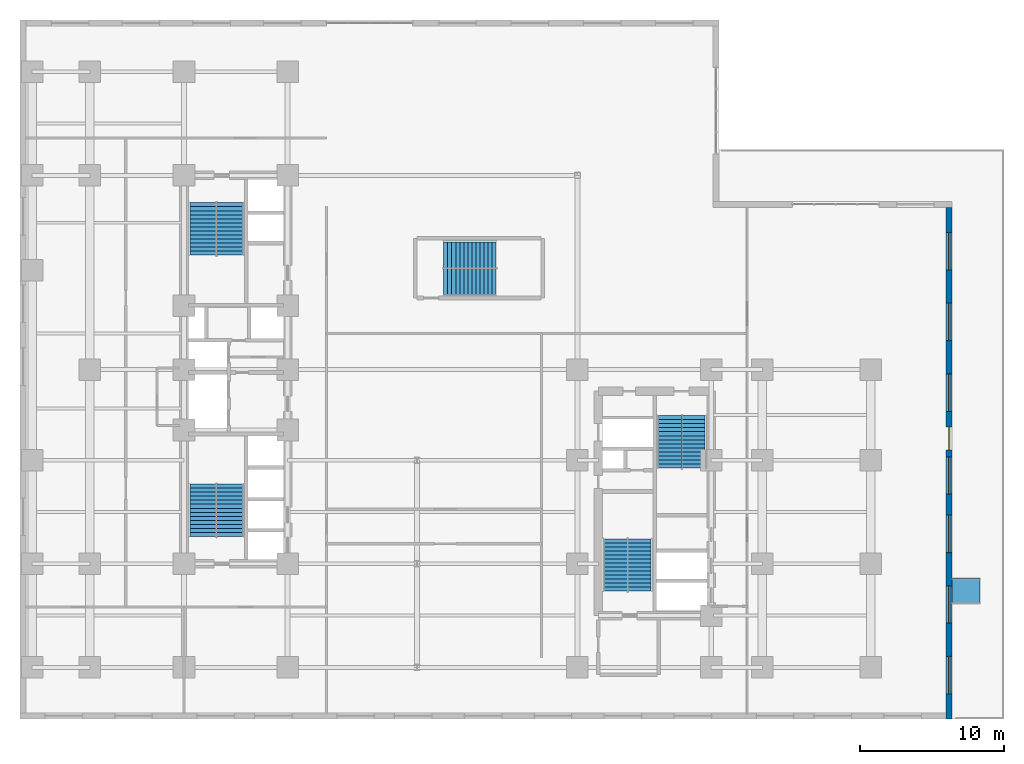
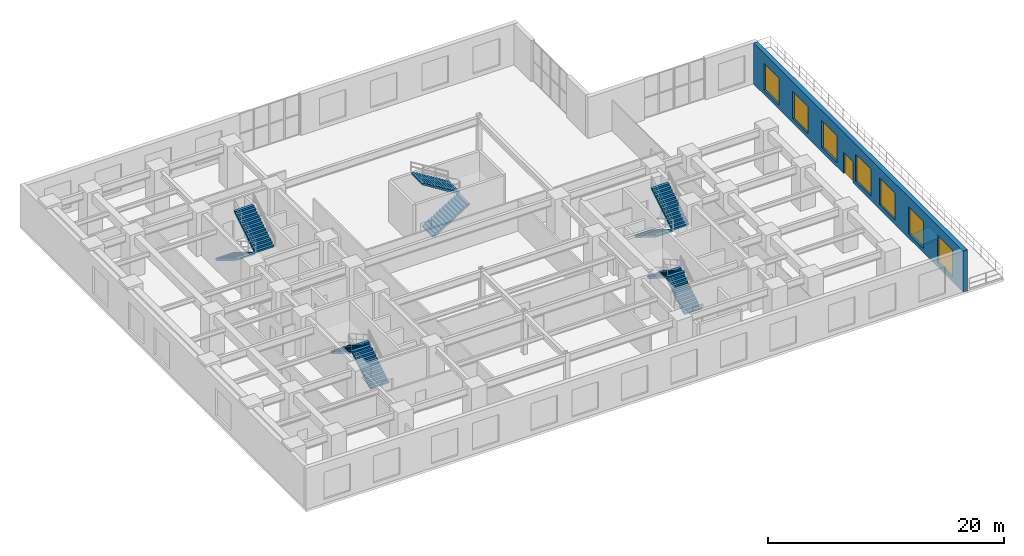
# One storey, part 11 of 15: 10 stair flights, 7 windows, 1 door, 1 ramp flight, 1 wall, 8 openings, 6 elements without a shape of their own.
"""IFC4 building model written with IfcOpenShell, lengths in metres."""

import ifcopenshell
import ifcopenshell.guid

model = None  # the IFC model being written
_history = None  # IfcOwnerHistory: only IFC2X3 demands one
_inside = {}  # id of a spatial element -> (the spatial element, [elements in it])
_under = {}  # id of a project, library or spatial element -> (it, [spatial elements below it])
_declared = {}  # id of a project -> (the project, [libraries it declares])
_typed = {}  # id of a type object -> (the type object, [elements of that type])
_made_of = {}  # id of a material, layer set ... -> (it, [elements and type objects made of it])


def new_model(schema):
    """Start an empty IFC model of exactly this schema.

    Asked for "IFC4X3", IfcOpenShell would pick the latest addendum, in which some entities
    have other attributes; the version numbers below select the first issue.
    IFC2X3 requires an IfcOwnerHistory on every rooted entity: one is made here for all.
    """
    global model, _history
    if schema == "IFC4X3":
        model = ifcopenshell.file(schema_version=(4, 3, 0, 0))
    else:
        model = ifcopenshell.file(schema=schema)
    _inside.clear()
    _under.clear()
    _declared.clear()
    _typed.clear()
    _made_of.clear()
    _history = None
    if model.schema == "IFC2X3":
        org = make("IfcOrganization", Name="unknown")
        user = make(
            "IfcPersonAndOrganization",
            ThePerson=make("IfcPerson", FamilyName="unknown"),
            TheOrganization=org,
        )
        app = make(
            "IfcApplication",
            ApplicationDeveloper=org,
            Version="unknown",
            ApplicationFullName="unknown",
            ApplicationIdentifier="unknown",
        )
        _history = make(
            "IfcOwnerHistory",
            OwningUser=user,
            OwningApplication=app,
            ChangeAction="ADDED",
            CreationDate=0,
        )
    return model


def make(cls, **values):
    """One entity of the class cls with the attributes given. An attribute that is None is left unset."""
    return model.create_entity(
        cls, **{name: value for name, value in values.items() if value is not None}
    )


def entity(cls, *values):
    """Any entity or typed value of the class cls, its attributes in the order of the schema. None: left unset."""
    e = model.create_entity(cls)
    for i, value in enumerate(values):
        if value is not None:
            e[i] = value
    return e


def rooted(cls, **values):
    """An entity with a GlobalId (a new one), such as an element, a storey or a relation."""
    return make(cls, GlobalId=ifcopenshell.guid.new(), OwnerHistory=_history, **values)


def si_unit(unit_type, name, prefix=None):
    """IfcSIUnit, for example si_unit("LENGTHUNIT", "METRE", prefix="MILLI")."""
    return make("IfcSIUnit", UnitType=unit_type, Prefix=prefix, Name=name)


def converted_unit(unit_type, name, factor, base, dimensions=None, offset=None):
    """IfcConversionBasedUnit, such as the inch: factor (a typed value) times the base unit."""
    return make(
        "IfcConversionBasedUnit"
        if offset is None
        else "IfcConversionBasedUnitWithOffset",
        ConversionOffset=offset,
        Dimensions=None
        if dimensions is None
        else entity("IfcDimensionalExponents", *dimensions),
        UnitType=unit_type,
        Name=name,
        ConversionFactor=make(
            "IfcMeasureWithUnit", ValueComponent=factor, UnitComponent=base
        ),
    )


def assignment(units):
    """IfcUnitAssignment: the units of a project."""
    return None if units is None else make("IfcUnitAssignment", Units=units)


def point(xyz):
    """IfcCartesianPoint."""
    return None if xyz is None else make("IfcCartesianPoint", Coordinates=xyz)


def direction(xyz):
    """IfcDirection."""
    return None if xyz is None else make("IfcDirection", DirectionRatios=xyz)


def frame(location, z_axis=None, x_axis=None):
    """IfcAxis2Placement3D, a coordinate frame: its origin and axes. An axis left out is left unset."""
    return make(
        "IfcAxis2Placement3D",
        Location=point(location),
        Axis=direction(z_axis),
        RefDirection=direction(x_axis),
    )


def frame_2d(location, x_axis=None):
    """IfcAxis2Placement2D, a coordinate frame in the plane: its origin and x axis."""
    return make(
        "IfcAxis2Placement2D", Location=point(location), RefDirection=direction(x_axis)
    )


def origin_with_axes():
    """The frame at (0, 0, 0) with the z axis (0, 0, 1) and the x axis (1, 0, 0) written out."""
    return frame((0.0, 0.0, 0.0), z_axis=(0.0, 0.0, 1.0), x_axis=(1.0, 0.0, 0.0))


def origin_2d_with_axis():
    """The frame at (0, 0) in the plane with the x axis (1, 0) written out."""
    return frame_2d((0.0, 0.0), x_axis=(1.0, 0.0))


def place(relative_to, where):
    """IfcLocalPlacement: puts the frame where relative to a parent placement (None: the world)."""
    return make(
        "IfcLocalPlacement", PlacementRelTo=relative_to, RelativePlacement=where
    )


def context(
    kind, dimensions, precision=None, world=None, true_north=None, identifier=None
):
    """IfcGeometricRepresentationContext, for example the 3D "Model" context."""
    return make(
        "IfcGeometricRepresentationContext",
        ContextIdentifier=identifier,
        ContextType=kind,
        CoordinateSpaceDimension=dimensions,
        Precision=precision,
        WorldCoordinateSystem=world,
        TrueNorth=true_north,
    )


def subcontext(parent, identifier, kind, view, scale=None):
    """IfcGeometricRepresentationSubContext, for example "Body" below "Model"."""
    return make(
        "IfcGeometricRepresentationSubContext",
        ContextIdentifier=identifier,
        ContextType=kind,
        ParentContext=parent,
        TargetScale=scale,
        TargetView=view,
    )


def project(units=None, contexts=None):
    """IfcProject with its units and contexts."""
    return rooted(
        "IfcProject",
        Name="project",
        RepresentationContexts=contexts,
        UnitsInContext=assignment(units),
    )


def spatial(cls, under=None, at=None, **own):
    """A site, building, storey or space (cls), placed at a placement, below another one or the project."""
    s = rooted(cls, ObjectPlacement=at, **own)
    if under is not None:
        _under.setdefault(under.id(), (under, []))[1].append(s)
    return s


def polyline(points):
    """IfcPolyline through the points."""
    return make("IfcPolyline", Points=[point(p) for p in points])


def point_list(points):
    """IfcCartesianPointList2D or 3D."""
    cls = (
        "IfcCartesianPointList2D" if len(points[0]) == 2 else "IfcCartesianPointList3D"
    )
    return make(cls, CoordList=points)


def profile(cls, at=None, kind="AREA", **sizes):
    """A parametric profile (cls). Its sizes go by their IFC names, for example OverallWidth=200.0."""
    return make(cls, ProfileType=kind, Position=at, **sizes)


def rectangle(**sizes):
    """IfcRectangleProfileDef."""
    return profile("IfcRectangleProfileDef", **sizes)


def outline(outer, holes=None, kind="AREA"):
    """IfcArbitraryClosedProfileDef: a profile drawn as a closed curve; with holes, ...WithVoids."""
    if holes is None:
        return make("IfcArbitraryClosedProfileDef", ProfileType=kind, OuterCurve=outer)
    return make(
        "IfcArbitraryProfileDefWithVoids",
        ProfileType=kind,
        OuterCurve=outer,
        InnerCurves=holes,
    )


def extrude(swept, where, along, depth):
    """IfcExtrudedAreaSolid: the profile swept, set in the frame where, extruded along a direction by depth."""
    return make(
        "IfcExtrudedAreaSolid",
        SweptArea=swept,
        Position=where,
        ExtrudedDirection=direction(along),
        Depth=depth,
    )


def triangles(points, corners, closed=None, point_numbers=None):
    """IfcTriangulatedFaceSet: each triangle names its three corners, points numbered from 1."""
    return make(
        "IfcTriangulatedFaceSet",
        Coordinates=point_list(points),
        Closed=closed,
        CoordIndex=corners,
        PnIndex=point_numbers,
    )


def shape(context_of_items, identifier, shape_type, items):
    """IfcShapeRepresentation: the items that make up one representation, for example the "Body"."""
    return make(
        "IfcShapeRepresentation",
        ContextOfItems=context_of_items,
        RepresentationIdentifier=identifier,
        RepresentationType=shape_type,
        Items=items,
    )


def material(Name=None, Category=None):
    """IfcMaterial."""
    return make("IfcMaterial", Name=Name, Category=Category)


def layer(
    of_material, thickness, ventilated=None, Name=None, Category=None, Priority=None
):
    """IfcMaterialLayer: one layer of a wall or slab, of a material (None: an air gap)."""
    return make(
        "IfcMaterialLayer",
        Material=of_material,
        LayerThickness=thickness,
        IsVentilated=ventilated,
        Name=Name,
        Category=Category,
        Priority=Priority,
    )


def layer_set(layers, Name=None):
    """IfcMaterialLayerSet."""
    return make("IfcMaterialLayerSet", MaterialLayers=layers, LayerSetName=Name)


def made_of(thing, what):
    """Note that an element or type object is made of a material, layer set ...; save() writes the relation."""
    if what is not None:
        _made_of.setdefault(what.id(), (what, []))[1].append(thing)
    return thing


def type_object(cls, material=None, **own):
    """A type object (cls), such as IfcWallType, which elements share."""
    return made_of(rooted(cls, **own), material)


def element(
    cls,
    number,
    at=None,
    inside=None,
    cuts=None,
    type_object=None,
    material=None,
    context=None,
    identifier="Body",
    shape_type=None,
    held_by="IfcProductDefinitionShape",
    body=None,
    shapes=None,
    **own,
):
    """One element of the class cls, such as IfcWall. Its Tag is "e" and its number.

    at: its placement. inside: the storey or other place that contains it. cuts: it is an
    opening in that element (IfcRelVoidsElement). A single representation is given by context,
    identifier, shape_type and body (its items); several are given by shapes. held_by: the class
    of the entity that holds the representations. save() writes the other relations.
    """
    e = rooted(cls, Tag="e%d" % number, ObjectPlacement=at, **own)
    if body is not None:
        shapes = [shape(context, identifier, shape_type, body)]
    if shapes is not None:
        e.Representation = make(held_by, Representations=shapes)
    if inside is not None:
        _inside.setdefault(inside.id(), (inside, []))[1].append(e)
    if cuts is not None:
        rooted(
            "IfcRelVoidsElement", RelatingBuildingElement=cuts, RelatedOpeningElement=e
        )
    if type_object is not None:
        _typed.setdefault(type_object.id(), (type_object, []))[1].append(e)
    return made_of(e, material)


def fill(opening, filler):
    """IfcRelFillsElement: the door or window that sits in an opening."""
    return rooted(
        "IfcRelFillsElement",
        RelatingOpeningElement=opening,
        RelatedBuildingElement=filler,
    )


def aggregate(whole, parts):
    """IfcRelAggregates: a whole, such as a stair, and the parts it consists of."""
    return rooted("IfcRelAggregates", RelatingObject=whole, RelatedObjects=parts)


def save(model, path):
    """Write the relations noted so far, then the file.

    IfcRelAggregates (storeys below a building ...), IfcRelContainedInSpatialStructure (elements
    in a storey), IfcRelDefinesByType, IfcRelAssociatesMaterial and IfcRelDeclares: one each for
    every whole, place, type object, material and project.
    """
    for whole, parts in _under.values():
        aggregate(whole, parts)
    for where, things in _inside.values():
        rooted(
            "IfcRelContainedInSpatialStructure",
            RelatedElements=things,
            RelatingStructure=where,
        )
    for kind, things in _typed.values():
        rooted("IfcRelDefinesByType", RelatedObjects=things, RelatingType=kind)
    for what, things in _made_of.values():
        rooted("IfcRelAssociatesMaterial", RelatedObjects=things, RelatingMaterial=what)
    for by, libraries in _declared.values():
        rooted("IfcRelDeclares", RelatingContext=by, RelatedDefinitions=libraries)
    model.write(path)


model = new_model("IFC4")

# Units and contexts
model_context = context("Model", 3, precision=1e-05, world=origin_with_axes(), true_north=direction((0.0, 1.0)))
body_context = subcontext(model_context, "Body", "Model", "MODEL_VIEW")
ifc_project = project(units=[si_unit("LENGTHUNIT", "METRE"), si_unit("AREAUNIT", "SQUARE_METRE"), si_unit("VOLUMEUNIT", "CUBIC_METRE"), converted_unit("PLANEANGLEUNIT", "DEGREE", entity("IfcPlaneAngleMeasure", 0.017453292519943295), si_unit("PLANEANGLEUNIT", "RADIAN"), dimensions=[0, 0, 0, 0, 0, 0, 0]), si_unit("MASSUNIT", "GRAM", prefix="KILO"), si_unit("THERMODYNAMICTEMPERATUREUNIT", "KELVIN")], contexts=[model_context])

# Site, building, storey
site_placement = place(None, origin_with_axes())
site = spatial("IfcSite", under=ifc_project, at=site_placement, CompositionType="ELEMENT")
building_placement = place(site_placement, origin_with_axes())
building = spatial("IfcBuilding", under=site, at=building_placement, Name="Varnlund Millrace Tower", CompositionType="ELEMENT")
storey_placement = place(building_placement, frame((0.0, 0.0, 19.8), z_axis=(0.0, 0.0, 1.0), x_axis=(1.0, 0.0, 0.0)))
storey = spatial("IfcBuildingStorey", under=building, at=storey_placement, Name="L04", CompositionType="ELEMENT", Elevation=19.8)

# Wall, openings, door, windows
ifc_material_1 = material(Name="Precast concrete C50/60", Category="concrete")
ifc_layer = layer(ifc_material_1, 0.42, Name="Precast concrete C50/60")
ifc_layer_set = layer_set([ifc_layer], Name="Precast concrete C50/60")
wall_type = type_object("IfcWallType", Name="Type-ExtWall-Precast-Pier-420", PredefinedType="SOLIDWALL", material=ifc_layer_set)
wall_placement = place(storey_placement, frame((64.59, 35.58, 0.0), z_axis=(0.0, 0.0, 1.0), x_axis=(0.0, -1.0, 0.0)))
wall = element("IfcWall", 1, at=wall_placement, inside=storey, type_object=wall_type, Name="Type-ExtWall-Precast-Pier-420", PredefinedType="SOLIDWALL", context=body_context, shape_type="SweptSolid", body=[
    extrude(outline(polyline([(0.0, -0.21), (35.58, -0.21), (35.58, 0.21), (0.0, 0.21), (0.0, -0.21)])), origin_with_axes(), (0.0, 0.0, 1.0), 4.26),
])
opening_1_placement = place(wall_placement, frame((16.08, 0.0, 0.0), z_axis=(0.0, 0.0, 1.0), x_axis=(1.0, 0.0, 0.0)))
opening_1 = element("IfcOpeningElement", 2, at=opening_1_placement, cuts=wall, Name="Opening L04:DR-TERR-L04", PredefinedType="OPENING", context=body_context, shape_type="SweptSolid", body=[
    extrude(rectangle(XDim=1.6, YDim=0.44, at=origin_2d_with_axis()), origin_with_axes(), (0.0, 0.0, 1.0), 2.2),
])
opening_2_placement = place(wall_placement, frame((3.056, 0.0, 0.45), z_axis=(0.0, 0.0, 1.0), x_axis=(1.0, 0.0, 0.0)))
opening_2 = element("IfcOpeningElement", 3, at=opening_2_placement, cuts=wall, Name="Opening L04:WN-27", PredefinedType="OPENING", context=body_context, shape_type="SweptSolid", body=[
    extrude(rectangle(XDim=2.6, YDim=0.44, at=origin_2d_with_axis()), origin_with_axes(), (0.0, 0.0, 1.0), 2.8),
])
opening_3_placement = place(wall_placement, frame((7.967, 0.0, 0.45), z_axis=(0.0, 0.0, 1.0), x_axis=(1.0, 0.0, 0.0)))
opening_3 = element("IfcOpeningElement", 4, at=opening_3_placement, cuts=wall, Name="Opening L04:WN-28", PredefinedType="OPENING", context=body_context, shape_type="SweptSolid", body=[
    extrude(rectangle(XDim=2.6, YDim=0.44, at=origin_2d_with_axis()), origin_with_axes(), (0.0, 0.0, 1.0), 2.8),
])
opening_4_placement = place(wall_placement, frame((12.879, 0.0, 0.45), z_axis=(0.0, 0.0, 1.0), x_axis=(1.0, 0.0, 0.0)))
opening_4 = element("IfcOpeningElement", 5, at=opening_4_placement, cuts=wall, Name="Opening L04:WN-29", PredefinedType="OPENING", context=body_context, shape_type="SweptSolid", body=[
    extrude(rectangle(XDim=2.6, YDim=0.44, at=origin_2d_with_axis()), origin_with_axes(), (0.0, 0.0, 1.0), 2.8),
])
opening_5_placement = place(wall_placement, frame((18.64, 0.0, 0.45), z_axis=(0.0, 0.0, 1.0), x_axis=(1.0, 0.0, 0.0)))
opening_5 = element("IfcOpeningElement", 6, at=opening_5_placement, cuts=wall, Name="Opening L04:WN-30", PredefinedType="OPENING", context=body_context, shape_type="SweptSolid", body=[
    extrude(rectangle(XDim=2.6, YDim=0.44, at=origin_2d_with_axis()), origin_with_axes(), (0.0, 0.0, 1.0), 2.8),
])
opening_6_placement = place(wall_placement, frame((22.701, 0.0, 0.45), z_axis=(0.0, 0.0, 1.0), x_axis=(1.0, 0.0, 0.0)))
opening_6 = element("IfcOpeningElement", 7, at=opening_6_placement, cuts=wall, Name="Opening L04:WN-31", PredefinedType="OPENING", context=body_context, shape_type="SweptSolid", body=[
    extrude(rectangle(XDim=2.6, YDim=0.44, at=origin_2d_with_axis()), origin_with_axes(), (0.0, 0.0, 1.0), 2.8),
])
opening_7_placement = place(wall_placement, frame((27.613, 0.0, 0.45), z_axis=(0.0, 0.0, 1.0), x_axis=(1.0, 0.0, 0.0)))
opening_7 = element("IfcOpeningElement", 8, at=opening_7_placement, cuts=wall, Name="Opening L04:WN-32", PredefinedType="OPENING", context=body_context, shape_type="SweptSolid", body=[
    extrude(rectangle(XDim=2.6, YDim=0.44, at=origin_2d_with_axis()), origin_with_axes(), (0.0, 0.0, 1.0), 2.8),
])
opening_8_placement = place(wall_placement, frame((32.524, 0.0, 0.45), z_axis=(0.0, 0.0, 1.0), x_axis=(1.0, 0.0, 0.0)))
opening_8 = element("IfcOpeningElement", 9, at=opening_8_placement, cuts=wall, Name="Opening L04:WN-33", PredefinedType="OPENING", context=body_context, shape_type="SweptSolid", body=[
    extrude(rectangle(XDim=2.6, YDim=0.44, at=origin_2d_with_axis()), origin_with_axes(), (0.0, 0.0, 1.0), 2.8),
])
ifc_material_2 = material(Name="Thermally broken architectural bronze and insulated glass door", Category="glass")
door_type = type_object("IfcDoorType", Name="Type-ExtDoor-Terrace-1600X2200", OperationType="NOTDEFINED", PredefinedType="DOOR", material=ifc_material_2)
door_placement = place(wall_placement, frame((16.08, 0.0, 0.0), z_axis=(0.0, 0.0, 1.0), x_axis=(1.0, 0.0, 0.0)))
door = element("IfcDoor", 10, at=door_placement, inside=storey, type_object=door_type, Name="Type-ExtDoor-Terrace-1600X2200", OperationType="DOUBLE_DOOR_SINGLE_SWING", OverallHeight=2.2, OverallWidth=1.6, PredefinedType="DOOR", context=body_context, shape_type="SweptSolid", body=[
    extrude(rectangle(XDim=1.6, YDim=0.09, at=origin_2d_with_axis()), origin_with_axes(), (0.0, 0.0, 1.0), 2.2),
])
fill(opening_1, door)
ifc_material_3 = material(Name="Argon low-e triple glazing in thermally broken bronze frame", Category="glass")
window_type = type_object("IfcWindowType", Name="Type-Window-Podium-2600X2800", PartitioningType="SINGLE_PANEL", PredefinedType="WINDOW", material=ifc_material_3)
window_1_placement = place(wall_placement, frame((3.056, 0.0, 0.45), z_axis=(0.0, 0.0, 1.0), x_axis=(1.0, 0.0, 0.0)))
window_1 = element("IfcWindow", 11, at=window_1_placement, inside=storey, type_object=window_type, Name="Type-Window-Podium-2600X2800", OverallHeight=2.8, OverallWidth=2.6, PredefinedType="WINDOW", context=body_context, shape_type="SweptSolid", body=[
    extrude(rectangle(XDim=2.6, YDim=0.09, at=origin_2d_with_axis()), origin_with_axes(), (0.0, 0.0, 1.0), 2.8),
])
fill(opening_2, window_1)
window_2_placement = place(wall_placement, frame((7.967, 0.0, 0.45), z_axis=(0.0, 0.0, 1.0), x_axis=(1.0, 0.0, 0.0)))
window_2 = element("IfcWindow", 12, at=window_2_placement, inside=storey, type_object=window_type, Name="Type-Window-Podium-2600X2800", OverallHeight=2.8, OverallWidth=2.6, PredefinedType="WINDOW", context=body_context, shape_type="SweptSolid", body=[
    extrude(rectangle(XDim=2.6, YDim=0.09, at=origin_2d_with_axis()), origin_with_axes(), (0.0, 0.0, 1.0), 2.8),
])
fill(opening_3, window_2)
window_3_placement = place(wall_placement, frame((12.879, 0.0, 0.45), z_axis=(0.0, 0.0, 1.0), x_axis=(1.0, 0.0, 0.0)))
window_3 = element("IfcWindow", 13, at=window_3_placement, inside=storey, type_object=window_type, Name="Type-Window-Podium-2600X2800", OverallHeight=2.8, OverallWidth=2.6, PredefinedType="WINDOW", context=body_context, shape_type="SweptSolid", body=[
    extrude(rectangle(XDim=2.6, YDim=0.09, at=origin_2d_with_axis()), origin_with_axes(), (0.0, 0.0, 1.0), 2.8),
])
fill(opening_4, window_3)
window_4_placement = place(wall_placement, frame((18.64, 0.0, 0.45), z_axis=(0.0, 0.0, 1.0), x_axis=(1.0, 0.0, 0.0)))
window_4 = element("IfcWindow", 14, at=window_4_placement, inside=storey, type_object=window_type, Name="Type-Window-Podium-2600X2800", OverallHeight=2.8, OverallWidth=2.6, PredefinedType="WINDOW", context=body_context, shape_type="SweptSolid", body=[
    extrude(rectangle(XDim=2.6, YDim=0.09, at=origin_2d_with_axis()), origin_with_axes(), (0.0, 0.0, 1.0), 2.8),
])
fill(opening_5, window_4)
window_5_placement = place(wall_placement, frame((22.701, 0.0, 0.45), z_axis=(0.0, 0.0, 1.0), x_axis=(1.0, 0.0, 0.0)))
window_5 = element("IfcWindow", 15, at=window_5_placement, inside=storey, type_object=window_type, Name="Type-Window-Podium-2600X2800", OverallHeight=2.8, OverallWidth=2.6, PredefinedType="WINDOW", context=body_context, shape_type="SweptSolid", body=[
    extrude(rectangle(XDim=2.6, YDim=0.09, at=origin_2d_with_axis()), origin_with_axes(), (0.0, 0.0, 1.0), 2.8),
])
fill(opening_6, window_5)
window_6_placement = place(wall_placement, frame((27.613, 0.0, 0.45), z_axis=(0.0, 0.0, 1.0), x_axis=(1.0, 0.0, 0.0)))
window_6 = element("IfcWindow", 16, at=window_6_placement, inside=storey, type_object=window_type, Name="Type-Window-Podium-2600X2800", OverallHeight=2.8, OverallWidth=2.6, PredefinedType="WINDOW", context=body_context, shape_type="SweptSolid", body=[
    extrude(rectangle(XDim=2.6, YDim=0.09, at=origin_2d_with_axis()), origin_with_axes(), (0.0, 0.0, 1.0), 2.8),
])
fill(opening_7, window_6)
window_7_placement = place(wall_placement, frame((32.524, 0.0, 0.45), z_axis=(0.0, 0.0, 1.0), x_axis=(1.0, 0.0, 0.0)))
window_7 = element("IfcWindow", 17, at=window_7_placement, inside=storey, type_object=window_type, Name="Type-Window-Podium-2600X2800", OverallHeight=2.8, OverallWidth=2.6, PredefinedType="WINDOW", context=body_context, shape_type="SweptSolid", body=[
    extrude(rectangle(XDim=2.6, YDim=0.09, at=origin_2d_with_axis()), origin_with_axes(), (0.0, 0.0, 1.0), 2.8),
])
fill(opening_8, window_7)

# Stair, stair flights
ifc_material_4 = material(Name="Concrete C50/60", Category="concrete")
stair_type_1 = type_object("IfcStairType", Name="Type-Stair-Dogleg-165-450", PredefinedType="HALF_TURN_STAIR", material=ifc_material_4)
stair_1_placement = place(storey_placement, origin_with_axes())
stair_1 = element("IfcStair", 18, at=stair_1_placement, inside=storey, type_object=stair_type_1, Name="Type-Stair-Dogleg-165-450", PredefinedType="HALF_TURN_STAIR")
stair_flight_type_1 = type_object("IfcStairFlightType", Name="Type-Dogleg-Run-165-450", PredefinedType="STRAIGHT", material=ifc_material_1)
stair_flight_1_placement = place(storey_placement, frame((42.225, 8.9, 0.0), z_axis=(1.0, 0.0, 0.0), x_axis=(0.0, 1.0, 0.0)))
stair_flight_1 = element("IfcStairFlight", 19, at=stair_flight_1_placement, type_object=stair_flight_type_1, Name="ST-B1 flight 1", NumberOfRisers=13, NumberOfTreads=13, PredefinedType="STRAIGHT", RiserHeight=0.173077, TreadLength=0.28, context=body_context, shape_type="SweptSolid", body=[
    extrude(outline(polyline([(0.0, 0.0), (0.0, 0.173077), (0.28, 0.173077), (0.28, 0.346154), (0.56, 0.346154), (0.56, 0.519231), (0.84, 0.519231), (0.84, 0.692308), (1.12, 0.692308), (1.12, 0.865384), (1.4, 0.865384), (1.4, 1.038461), (1.68, 1.038461), (1.68, 1.211538), (1.96, 1.211538), (1.96, 1.384615), (2.24, 1.384615), (2.24, 1.557692), (2.52, 1.557692), (2.52, 1.730769), (2.8, 1.730769), (2.8, 1.903846), (3.08, 1.903846), (3.08, 2.076923), (3.36, 2.076923), (3.36, 2.25), (3.64, 2.25), (3.64, 2.1), (0.28, 0.0), (0.0, 0.0)])), origin_with_axes(), (0.0, 0.0, 1.0), 1.65),
])
stair_flight_2_placement = place(storey_placement, frame((42.275, 12.54, 2.25), z_axis=(-1.0, 0.0, 0.0), x_axis=(0.0, -1.0, 0.0)))
stair_flight_2 = element("IfcStairFlight", 20, at=stair_flight_2_placement, type_object=stair_flight_type_1, Name="ST-B1 flight 2", NumberOfRisers=13, NumberOfTreads=13, PredefinedType="STRAIGHT", RiserHeight=0.173077, TreadLength=0.28, context=body_context, shape_type="SweptSolid", body=[
    extrude(outline(polyline([(0.0, 0.0), (0.0, 0.173077), (0.28, 0.173077), (0.28, 0.346154), (0.56, 0.346154), (0.56, 0.519231), (0.84, 0.519231), (0.84, 0.692308), (1.12, 0.692308), (1.12, 0.865384), (1.4, 0.865384), (1.4, 1.038461), (1.68, 1.038461), (1.68, 1.211538), (1.96, 1.211538), (1.96, 1.384615), (2.24, 1.384615), (2.24, 1.557692), (2.52, 1.557692), (2.52, 1.730769), (2.8, 1.730769), (2.8, 1.903846), (3.08, 1.903846), (3.08, 2.076923), (3.36, 2.076923), (3.36, 2.25), (3.64, 2.25), (3.64, 2.1), (0.28, 0.0), (0.0, 0.0)])), origin_with_axes(), (0.0, 0.0, 1.0), 1.65),
])
aggregate(stair_1, [stair_flight_1, stair_flight_2])

stair_2_placement = place(storey_placement, origin_with_axes())
stair_2 = element("IfcStair", 21, at=stair_2_placement, inside=storey, type_object=stair_type_1, Name="Type-Stair-Dogleg-165-450", PredefinedType="HALF_TURN_STAIR")
stair_flight_3_placement = place(storey_placement, frame((46.025, 21.1, 0.0), z_axis=(-1.0, 0.0, 0.0), x_axis=(0.0, -1.0, 0.0)))
stair_flight_3 = element("IfcStairFlight", 22, at=stair_flight_3_placement, type_object=stair_flight_type_1, Name="ST-B2 flight 1", NumberOfRisers=13, NumberOfTreads=13, PredefinedType="STRAIGHT", RiserHeight=0.173077, TreadLength=0.28, context=body_context, shape_type="SweptSolid", body=[
    extrude(outline(polyline([(0.0, 0.0), (0.0, 0.173077), (0.28, 0.173077), (0.28, 0.346154), (0.56, 0.346154), (0.56, 0.519231), (0.84, 0.519231), (0.84, 0.692308), (1.12, 0.692308), (1.12, 0.865384), (1.4, 0.865384), (1.4, 1.038461), (1.68, 1.038461), (1.68, 1.211538), (1.96, 1.211538), (1.96, 1.384615), (2.24, 1.384615), (2.24, 1.557692), (2.52, 1.557692), (2.52, 1.730769), (2.8, 1.730769), (2.8, 1.903846), (3.08, 1.903846), (3.08, 2.076923), (3.36, 2.076923), (3.36, 2.25), (3.64, 2.25), (3.64, 2.1), (0.28, 0.0), (0.0, 0.0)])), origin_with_axes(), (0.0, 0.0, 1.0), 1.65),
])
stair_flight_4_placement = place(storey_placement, frame((45.975, 17.46, 2.25), z_axis=(1.0, 0.0, 0.0), x_axis=(0.0, 1.0, 0.0)))
stair_flight_4 = element("IfcStairFlight", 23, at=stair_flight_4_placement, type_object=stair_flight_type_1, Name="ST-B2 flight 2", NumberOfRisers=13, NumberOfTreads=13, PredefinedType="STRAIGHT", RiserHeight=0.173077, TreadLength=0.28, context=body_context, shape_type="SweptSolid", body=[
    extrude(outline(polyline([(0.0, 0.0), (0.0, 0.173077), (0.28, 0.173077), (0.28, 0.346154), (0.56, 0.346154), (0.56, 0.519231), (0.84, 0.519231), (0.84, 0.692308), (1.12, 0.692308), (1.12, 0.865384), (1.4, 0.865384), (1.4, 1.038461), (1.68, 1.038461), (1.68, 1.211538), (1.96, 1.211538), (1.96, 1.384615), (2.24, 1.384615), (2.24, 1.557692), (2.52, 1.557692), (2.52, 1.730769), (2.8, 1.730769), (2.8, 1.903846), (3.08, 1.903846), (3.08, 2.076923), (3.36, 2.076923), (3.36, 2.25), (3.64, 2.25), (3.64, 2.1), (0.28, 0.0), (0.0, 0.0)])), origin_with_axes(), (0.0, 0.0, 1.0), 1.65),
])
aggregate(stair_2, [stair_flight_3, stair_flight_4])

stair_type_2 = type_object("IfcStairType", Name="Type-Stair-Dogleg-185-450", PredefinedType="HALF_TURN_STAIR", material=ifc_material_4)
stair_3_placement = place(storey_placement, origin_with_axes())
stair_3 = element("IfcStair", 24, at=stair_3_placement, inside=storey, type_object=stair_type_2, Name="Type-Stair-Dogleg-185-450", PredefinedType="HALF_TURN_STAIR")
stair_flight_type_2 = type_object("IfcStairFlightType", Name="Type-Dogleg-Run-185-450", PredefinedType="STRAIGHT", material=ifc_material_1)
stair_flight_5_placement = place(storey_placement, frame((13.625, 12.7, 0.0), z_axis=(1.0, 0.0, 0.0), x_axis=(0.0, 1.0, 0.0)))
stair_flight_5 = element("IfcStairFlight", 25, at=stair_flight_5_placement, type_object=stair_flight_type_2, Name="ST-A1 flight 1", NumberOfRisers=13, NumberOfTreads=13, PredefinedType="STRAIGHT", RiserHeight=0.173077, TreadLength=0.28, context=body_context, shape_type="SweptSolid", body=[
    extrude(outline(polyline([(0.0, 0.0), (0.0, 0.173077), (0.28, 0.173077), (0.28, 0.346154), (0.56, 0.346154), (0.56, 0.519231), (0.84, 0.519231), (0.84, 0.692308), (1.12, 0.692308), (1.12, 0.865384), (1.4, 0.865384), (1.4, 1.038461), (1.68, 1.038461), (1.68, 1.211538), (1.96, 1.211538), (1.96, 1.384615), (2.24, 1.384615), (2.24, 1.557692), (2.52, 1.557692), (2.52, 1.730769), (2.8, 1.730769), (2.8, 1.903846), (3.08, 1.903846), (3.08, 2.076923), (3.36, 2.076923), (3.36, 2.25), (3.64, 2.25), (3.64, 2.1), (0.28, 0.0), (0.0, 0.0)])), origin_with_axes(), (0.0, 0.0, 1.0), 1.85),
])
stair_flight_6_placement = place(storey_placement, frame((13.675, 16.34, 2.25), z_axis=(-1.0, 0.0, 0.0), x_axis=(0.0, -1.0, 0.0)))
stair_flight_6 = element("IfcStairFlight", 26, at=stair_flight_6_placement, type_object=stair_flight_type_2, Name="ST-A1 flight 2", NumberOfRisers=13, NumberOfTreads=13, PredefinedType="STRAIGHT", RiserHeight=0.173077, TreadLength=0.28, context=body_context, shape_type="SweptSolid", body=[
    extrude(outline(polyline([(0.0, 0.0), (0.0, 0.173077), (0.28, 0.173077), (0.28, 0.346154), (0.56, 0.346154), (0.56, 0.519231), (0.84, 0.519231), (0.84, 0.692308), (1.12, 0.692308), (1.12, 0.865384), (1.4, 0.865384), (1.4, 1.038461), (1.68, 1.038461), (1.68, 1.211538), (1.96, 1.211538), (1.96, 1.384615), (2.24, 1.384615), (2.24, 1.557692), (2.52, 1.557692), (2.52, 1.730769), (2.8, 1.730769), (2.8, 1.903846), (3.08, 1.903846), (3.08, 2.076923), (3.36, 2.076923), (3.36, 2.25), (3.64, 2.25), (3.64, 2.1), (0.28, 0.0), (0.0, 0.0)])), origin_with_axes(), (0.0, 0.0, 1.0), 1.85),
])
aggregate(stair_3, [stair_flight_5, stair_flight_6])

stair_4_placement = place(storey_placement, origin_with_axes())
stair_4 = element("IfcStair", 27, at=stair_4_placement, inside=storey, type_object=stair_type_2, Name="Type-Stair-Dogleg-185-450", PredefinedType="HALF_TURN_STAIR")
stair_flight_7_placement = place(storey_placement, frame((13.675, 35.9, 0.0), z_axis=(-1.0, 0.0, 0.0), x_axis=(0.0, -1.0, 0.0)))
stair_flight_7 = element("IfcStairFlight", 28, at=stair_flight_7_placement, type_object=stair_flight_type_2, Name="ST-A2 flight 1", NumberOfRisers=13, NumberOfTreads=13, PredefinedType="STRAIGHT", RiserHeight=0.173077, TreadLength=0.28, context=body_context, shape_type="SweptSolid", body=[
    extrude(outline(polyline([(0.0, 0.0), (0.0, 0.173077), (0.28, 0.173077), (0.28, 0.346154), (0.56, 0.346154), (0.56, 0.519231), (0.84, 0.519231), (0.84, 0.692308), (1.12, 0.692308), (1.12, 0.865384), (1.4, 0.865384), (1.4, 1.038461), (1.68, 1.038461), (1.68, 1.211538), (1.96, 1.211538), (1.96, 1.384615), (2.24, 1.384615), (2.24, 1.557692), (2.52, 1.557692), (2.52, 1.730769), (2.8, 1.730769), (2.8, 1.903846), (3.08, 1.903846), (3.08, 2.076923), (3.36, 2.076923), (3.36, 2.25), (3.64, 2.25), (3.64, 2.1), (0.28, 0.0), (0.0, 0.0)])), origin_with_axes(), (0.0, 0.0, 1.0), 1.85),
])
stair_flight_8_placement = place(storey_placement, frame((13.625, 32.26, 2.25), z_axis=(1.0, 0.0, 0.0), x_axis=(0.0, 1.0, 0.0)))
stair_flight_8 = element("IfcStairFlight", 29, at=stair_flight_8_placement, type_object=stair_flight_type_2, Name="ST-A2 flight 2", NumberOfRisers=13, NumberOfTreads=13, PredefinedType="STRAIGHT", RiserHeight=0.173077, TreadLength=0.28, context=body_context, shape_type="SweptSolid", body=[
    extrude(outline(polyline([(0.0, 0.0), (0.0, 0.173077), (0.28, 0.173077), (0.28, 0.346154), (0.56, 0.346154), (0.56, 0.519231), (0.84, 0.519231), (0.84, 0.692308), (1.12, 0.692308), (1.12, 0.865384), (1.4, 0.865384), (1.4, 1.038461), (1.68, 1.038461), (1.68, 1.211538), (1.96, 1.211538), (1.96, 1.384615), (2.24, 1.384615), (2.24, 1.557692), (2.52, 1.557692), (2.52, 1.730769), (2.8, 1.730769), (2.8, 1.903846), (3.08, 1.903846), (3.08, 2.076923), (3.36, 2.076923), (3.36, 2.25), (3.64, 2.25), (3.64, 2.1), (0.28, 0.0), (0.0, 0.0)])), origin_with_axes(), (0.0, 0.0, 1.0), 1.85),
])
aggregate(stair_4, [stair_flight_7, stair_flight_8])

stair_5_placement = place(storey_placement, origin_with_axes())
stair_5 = element("IfcStair", 30, at=stair_5_placement, inside=storey, type_object=stair_type_2, Name="Type-Stair-Dogleg-185-450", PredefinedType="HALF_TURN_STAIR")
stair_flight_9_placement = place(storey_placement, frame((29.45, 31.375, 0.0), z_axis=(0.0, -1.0, 0.0), x_axis=(1.0, 0.0, 0.0)))
stair_flight_9 = element("IfcStairFlight", 31, at=stair_flight_9_placement, type_object=stair_flight_type_2, Name="ST-P1 flight 1", NumberOfRisers=13, NumberOfTreads=13, PredefinedType="STRAIGHT", RiserHeight=0.173077, TreadLength=0.28, context=body_context, shape_type="SweptSolid", body=[
    extrude(outline(polyline([(0.0, 0.0), (0.0, 0.173077), (0.28, 0.173077), (0.28, 0.346154), (0.56, 0.346154), (0.56, 0.519231), (0.84, 0.519231), (0.84, 0.692308), (1.12, 0.692308), (1.12, 0.865384), (1.4, 0.865384), (1.4, 1.038461), (1.68, 1.038461), (1.68, 1.211538), (1.96, 1.211538), (1.96, 1.384615), (2.24, 1.384615), (2.24, 1.557692), (2.52, 1.557692), (2.52, 1.730769), (2.8, 1.730769), (2.8, 1.903846), (3.08, 1.903846), (3.08, 2.076923), (3.36, 2.076923), (3.36, 2.25), (3.64, 2.25), (3.64, 2.1), (0.28, 0.0), (0.0, 0.0)])), origin_with_axes(), (0.0, 0.0, 1.0), 1.85),
])
stair_flight_10_placement = place(storey_placement, frame((33.09, 31.325, 2.25), z_axis=(0.0, 1.0, 0.0), x_axis=(-1.0, 0.0, 0.0)))
stair_flight_10 = element("IfcStairFlight", 32, at=stair_flight_10_placement, type_object=stair_flight_type_2, Name="ST-P1 flight 2", NumberOfRisers=13, NumberOfTreads=13, PredefinedType="STRAIGHT", RiserHeight=0.173077, TreadLength=0.28, context=body_context, shape_type="SweptSolid", body=[
    extrude(outline(polyline([(0.0, 0.0), (0.0, 0.173077), (0.28, 0.173077), (0.28, 0.346154), (0.56, 0.346154), (0.56, 0.519231), (0.84, 0.519231), (0.84, 0.692308), (1.12, 0.692308), (1.12, 0.865384), (1.4, 0.865384), (1.4, 1.038461), (1.68, 1.038461), (1.68, 1.211538), (1.96, 1.211538), (1.96, 1.384615), (2.24, 1.384615), (2.24, 1.557692), (2.52, 1.557692), (2.52, 1.730769), (2.8, 1.730769), (2.8, 1.903846), (3.08, 1.903846), (3.08, 2.076923), (3.36, 2.076923), (3.36, 2.25), (3.64, 2.25), (3.64, 2.1), (0.28, 0.0), (0.0, 0.0)])), origin_with_axes(), (0.0, 0.0, 1.0), 1.85),
])
aggregate(stair_5, [stair_flight_9, stair_flight_10])

# Ramp, ramp flight
ramp_type = type_object("IfcRampType", Name="Type-Ramp-Accessible-1to12", PredefinedType="STRAIGHT_RUN_RAMP", material=ifc_material_4)
ramp_placement = place(storey_placement, frame((64.8, 8.0, -0.16), z_axis=(0.0, 0.0, 1.0), x_axis=(1.0, 0.0, 0.0)))
ramp = element("IfcRamp", 33, at=ramp_placement, inside=storey, type_object=ramp_type, Name="Type-Ramp-Accessible-1to12", PredefinedType="STRAIGHT_RUN_RAMP")
ramp_flight_type = type_object("IfcRampFlightType", Name="Type-Accessible-Slope-Granite-250", PredefinedType="STRAIGHT", material=ifc_material_4)
ramp_flight_placement = place(storey_placement, frame((0.0, 0.0, -19.8), z_axis=(0.0, 0.0, 1.0), x_axis=(1.0, 0.0, 0.0)))
ramp_flight = element("IfcRampFlight", 34, at=ramp_flight_placement, type_object=ramp_flight_type, Name="Type-Accessible-Slope-Granite-250", PredefinedType="STRAIGHT", context=body_context, shape_type="Tessellation", body=[
    triangles([(64.8, 8.0, 19.64), (66.72, 8.0, 19.8), (66.72, 9.8, 19.8), (64.8, 9.8, 19.64), (64.8, 8.0, 19.42), (66.72, 8.0, 19.58), (66.72, 9.8, 19.58), (64.8, 9.8, 19.42)], [[1, 2, 3], [1, 3, 4], [5, 7, 6], [5, 8, 7], [1, 5, 6], [1, 6, 2], [2, 6, 7], [2, 7, 3], [3, 7, 8], [3, 8, 4], [4, 8, 5], [4, 5, 1]], closed=True),
])
aggregate(ramp, [ramp_flight])

save(model, "model.ifc")
